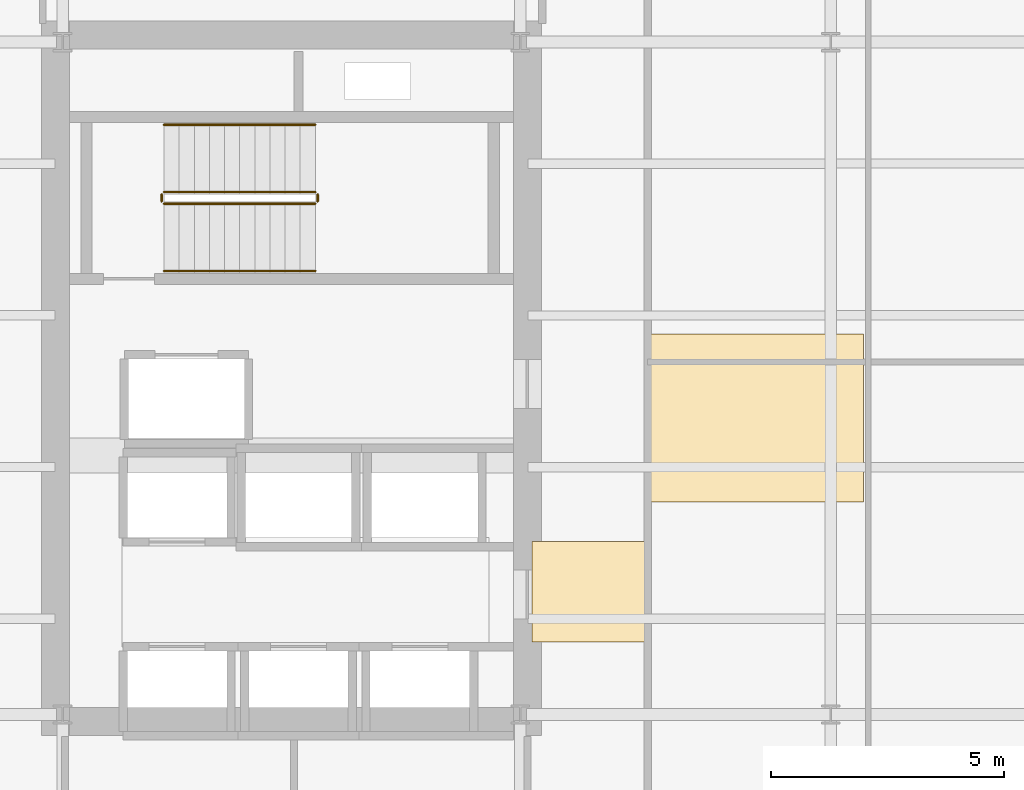
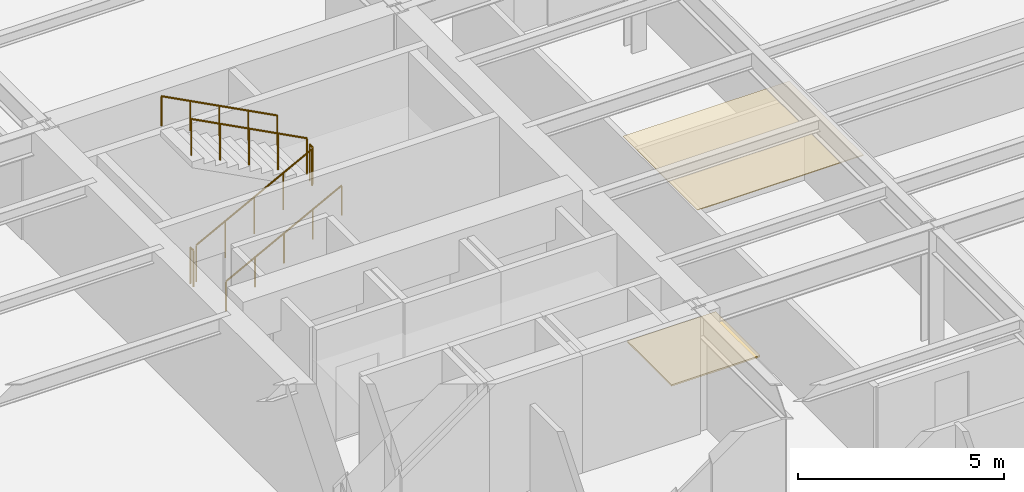
# One storey, part 9 of 11: 6 railings, 2 coverings.
"""IFC4 building model written with IfcOpenShell, lengths in metres."""

from ifc_helpers import new_model, si_unit, direction, frame, origin, origin_2d, place, context, subcontext, project, spatial, polyline, circle, outline, extrude, material, layer, layer_set, type_object, element, save


model = new_model("IFC4")

# Units and contexts
model_context = context("Model", 3, precision=1e-05, world=origin(), true_north=direction((0.0, 1.0)))
body_context = subcontext(model_context, "Body", "Model", "MODEL_VIEW")
ifc_project = project(units=[si_unit("LENGTHUNIT", "METRE"), si_unit("AREAUNIT", "SQUARE_METRE"), si_unit("VOLUMEUNIT", "CUBIC_METRE"), si_unit("PLANEANGLEUNIT", "RADIAN"), si_unit("MASSUNIT", "GRAM", prefix="KILO")], contexts=[model_context])

# Site, building, storey
site_placement = place(None, origin())
site = spatial("IfcSite", under=ifc_project, at=site_placement, CompositionType="ELEMENT")
building_placement = place(site_placement, origin())
building = spatial("IfcBuilding", under=site, at=building_placement, Name="Kolvaren Arena Tower", CompositionType="ELEMENT")
storey_placement = place(building_placement, frame((0.0, 0.0, 169.699951171875)))
storey = spatial("IfcBuildingStorey", under=building, at=storey_placement, Name="L40", CompositionType="ELEMENT", Elevation=169.699951171875)

# Coverings
ifc_material_1 = material(Name="Mineral fibre acoustic ceiling tile", Category="gypsum")
ifc_layer_1 = layer(ifc_material_1, 0.02490234375)
ifc_layer_set_1 = layer_set([ifc_layer_1], Name="Mineral fibre acoustic ceiling tile")
covering_type_1 = type_object("IfcCoveringType", Name="CEIL-ACT-1", PredefinedType="CEILING", material=ifc_layer_set_1)
covering_1_placement = place(storey_placement, frame((0.0, 0.0, 2.52001953125)))
element("IfcCovering", 1, at=covering_1_placement, inside=storey, type_object=covering_type_1, Name="Suspended Ceiling (L40)", PredefinedType="CEILING", context=body_context, shape_type="SweptSolid", body=[
    extrude(outline(polyline([(27.050048828125, 24.0), (27.050048828125, 27.60009765625), (31.699951171875, 27.60009765625), (31.699951171875, 24.0), (27.050048828125, 24.0)])), origin(), (0.0, 0.0, 1.0), 0.025146484375),
])
ifc_material_2 = material(Name="Raised access office floor finish", Category="aluminium")
ifc_layer_2 = layer(ifc_material_2, 0.044921875)
ifc_layer_set_2 = layer_set([ifc_layer_2], Name="Raised access office floor finish")
covering_type_2 = type_object("IfcCoveringType", Name="FLOR-RAF-1", PredefinedType="FLOORING", material=ifc_layer_set_2)
covering_2_placement = place(storey_placement, origin())
element("IfcCovering", 2, at=covering_2_placement, inside=storey, type_object=covering_type_2, Name="Floor Finish (L40)", PredefinedType="FLOORING", context=body_context, shape_type="SweptSolid", body=[
    extrude(outline(polyline([(24.60009765625, 21.0), (24.60009765625, 23.14990234375), (27.080078125, 23.14990234375), (27.080078125, 21.0), (24.60009765625, 21.0)])), origin(), (0.0, 0.0, 1.0), 0.045166015625),
])

# Railings
ifc_material_3 = material(Name="Painted galvanized steel", Category="steel")
railing_type_1 = type_object("IfcRailingType", Name="GUARD-ST-110", PredefinedType="GUARDRAIL", material=ifc_material_3)
railing_1_placement = place(storey_placement, frame((16.719970703125, 30.389892578125, 0.17041015625)))
element("IfcRailing", 3, at=railing_1_placement, inside=storey, type_object=railing_type_1, Name="L40 ST-W1 stair guard 1", PredefinedType="GUARDRAIL", context=body_context, shape_type="SweptSolid", body=[
    extrude(circle(Radius=0.02392578125, at=origin_2d()), frame((0.0, 0.0, 1.076171875), z_axis=(0.884993431791, 0.0, 0.465603506952), x_axis=(0.0, 1.0, 0.0)), (0.0, 0.0, 1.0), 3.6611328125),
    extrude(circle(Radius=0.02099609375, at=origin_2d()), origin(), (0.0, 0.0, 1.0), 1.052001953125),
    extrude(circle(Radius=0.02099609375, at=origin_2d()), frame((0.81005859375, 0.0, 0.42626953125)), (0.0, 0.0, 1.0), 1.052001953125),
    extrude(circle(Radius=0.02099609375, at=origin_2d()), frame((1.6201171875, 0.0, 0.852294921875)), (0.0, 0.0, 1.0), 1.052001953125),
    extrude(circle(Radius=0.02099609375, at=origin_2d()), frame((2.429931640625, 0.0, 1.2783203125)), (0.0, 0.0, 1.0), 1.052001953125),
    extrude(circle(Radius=0.02099609375, at=origin_2d()), frame((3.239990234375, 0.0, 1.70458984375)), (0.0, 0.0, 1.0), 1.052001953125),
])
railing_2_placement = place(storey_placement, frame((20.010009765625, 30.43994140625, 1.875)))
element("IfcRailing", 4, at=railing_2_placement, inside=storey, type_object=railing_type_1, Name="L40 ST-W1 stair guard 2", PredefinedType="GUARDRAIL", context=body_context, shape_type="SweptSolid", body=[
    extrude(circle(Radius=0.02392578125, at=origin_2d()), frame((0.0, 0.0, 1.076171875), z_axis=(0.0, 1.0, 0.0), x_axis=(-1.0, 0.0, 0.0)), (0.0, 0.0, 1.0), 0.150146484375),
    extrude(circle(Radius=0.02099609375, at=origin_2d()), origin(), (0.0, 0.0, 1.0), 1.052001953125),
    extrude(circle(Radius=0.02099609375, at=origin_2d()), frame((0.0, 0.150146484375, 0.0)), (0.0, 0.0, 1.0), 1.052001953125),
])
railing_3_placement = place(storey_placement, frame((19.9599609375, 30.639892578125, 2.04541015625)))
element("IfcRailing", 5, at=railing_3_placement, inside=storey, type_object=railing_type_1, Name="L40 ST-W1 stair guard 3", PredefinedType="GUARDRAIL", context=body_context, shape_type="SweptSolid", body=[
    extrude(circle(Radius=0.02392578125, at=origin_2d()), frame((0.0, 0.0, 1.076171875), z_axis=(-0.884993431791, 0.0, 0.465603506952), x_axis=(0.0, -1.0, 0.0)), (0.0, 0.0, 1.0), 3.6611328125),
    extrude(circle(Radius=0.02099609375, at=origin_2d()), origin(), (0.0, 0.0, 1.0), 1.052001953125),
    extrude(circle(Radius=0.02099609375, at=origin_2d()), frame((-0.81005859375, 0.0, 0.42626953125)), (0.0, 0.0, 1.0), 1.052001953125),
    extrude(circle(Radius=0.02099609375, at=origin_2d()), frame((-1.6201171875, 0.0, 0.852294921875)), (0.0, 0.0, 1.0), 1.052001953125),
    extrude(circle(Radius=0.02099609375, at=origin_2d()), frame((-2.429931640625, 0.0, 1.2783203125)), (0.0, 0.0, 1.0), 1.052001953125),
    extrude(circle(Radius=0.02099609375, at=origin_2d()), frame((-3.239990234375, 0.0, 1.70458984375)), (0.0, 0.0, 1.0), 1.052001953125),
])
railing_4_placement = place(storey_placement, frame((16.669921875, 30.43994140625, 0.0)))
element("IfcRailing", 6, at=railing_4_placement, inside=storey, type_object=railing_type_1, Name="L40 ST-W1 stair guard 4", PredefinedType="GUARDRAIL", context=body_context, shape_type="SweptSolid", body=[
    extrude(circle(Radius=0.02392578125, at=origin_2d()), frame((0.0, 0.0, 1.076171875), z_axis=(0.0, 1.0, 0.0), x_axis=(-1.0, 0.0, 0.0)), (0.0, 0.0, 1.0), 0.150146484375),
    extrude(circle(Radius=0.02099609375, at=origin_2d()), origin(), (0.0, 0.0, 1.0), 1.052001953125),
    extrude(circle(Radius=0.02099609375, at=origin_2d()), frame((0.0, 0.150146484375, 0.0)), (0.0, 0.0, 1.0), 1.052001953125),
])
ifc_material_4 = material(Name="Brushed stainless steel handrail", Category="steel")
railing_type_2 = type_object("IfcRailingType", Name="HRAIL-900", PredefinedType="HANDRAIL", material=ifc_material_4)
railing_5_placement = place(storey_placement, frame((16.719970703125, 28.949951171875, 0.17041015625)))
element("IfcRailing", 7, at=railing_5_placement, inside=storey, type_object=railing_type_2, Name="L40 ST-W1 stair handrail 1", PredefinedType="HANDRAIL", context=body_context, shape_type="SweptSolid", body=[
    extrude(circle(Radius=0.02392578125, at=origin_2d()), frame((0.0, 0.0, 0.8759765625), z_axis=(0.884993431791, 0.0, 0.465603506952), x_axis=(0.0, 1.0, 0.0)), (0.0, 0.0, 1.0), 3.6611328125),
    extrude(circle(Radius=0.02099609375, at=origin_2d()), origin(), (0.0, 0.0, 1.0), 0.851806640625),
    extrude(circle(Radius=0.02099609375, at=origin_2d()), frame((0.81005859375, 0.0, 0.42626953125)), (0.0, 0.0, 1.0), 0.851806640625),
    extrude(circle(Radius=0.02099609375, at=origin_2d()), frame((1.6201171875, 0.0, 0.852294921875)), (0.0, 0.0, 1.0), 0.851806640625),
    extrude(circle(Radius=0.02099609375, at=origin_2d()), frame((2.429931640625, 0.0, 1.2783203125)), (0.0, 0.0, 1.0), 0.851806640625),
    extrude(circle(Radius=0.02099609375, at=origin_2d()), frame((3.239990234375, 0.0, 1.70458984375)), (0.0, 0.0, 1.0), 0.851806640625),
])
railing_6_placement = place(storey_placement, frame((19.9599609375, 32.080078125, 2.04541015625)))
element("IfcRailing", 8, at=railing_6_placement, inside=storey, type_object=railing_type_2, Name="L40 ST-W1 stair handrail 2", PredefinedType="HANDRAIL", context=body_context, shape_type="SweptSolid", body=[
    extrude(circle(Radius=0.02392578125, at=origin_2d()), frame((0.0, 0.0, 0.8759765625), z_axis=(-0.884993431791, 0.0, 0.465603506952), x_axis=(0.0, -1.0, 0.0)), (0.0, 0.0, 1.0), 3.6611328125),
    extrude(circle(Radius=0.02099609375, at=origin_2d()), origin(), (0.0, 0.0, 1.0), 0.851806640625),
    extrude(circle(Radius=0.02099609375, at=origin_2d()), frame((-0.81005859375, 0.0, 0.42626953125)), (0.0, 0.0, 1.0), 0.851806640625),
    extrude(circle(Radius=0.02099609375, at=origin_2d()), frame((-1.6201171875, 0.0, 0.852294921875)), (0.0, 0.0, 1.0), 0.851806640625),
    extrude(circle(Radius=0.02099609375, at=origin_2d()), frame((-2.429931640625, 0.0, 1.2783203125)), (0.0, 0.0, 1.0), 0.851806640625),
    extrude(circle(Radius=0.02099609375, at=origin_2d()), frame((-3.239990234375, 0.0, 1.70458984375)), (0.0, 0.0, 1.0), 0.851806640625),
])

save(model, "model.ifc")
